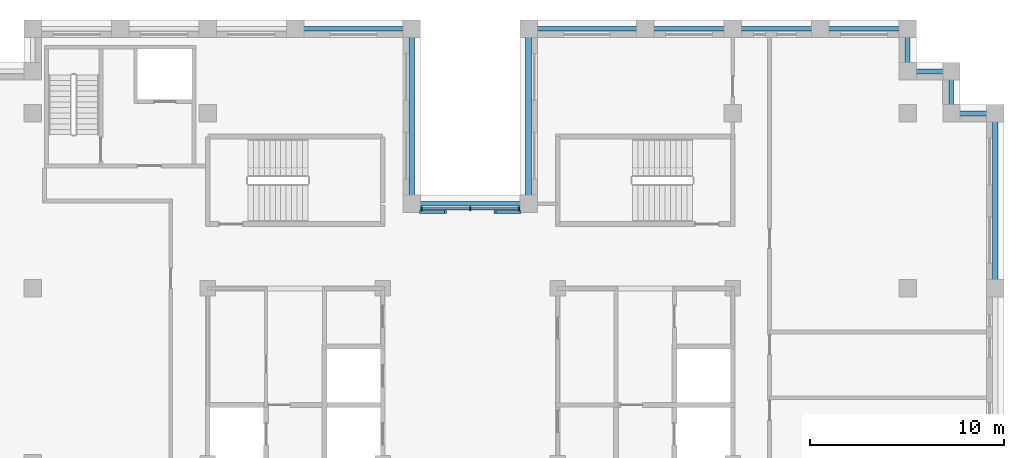
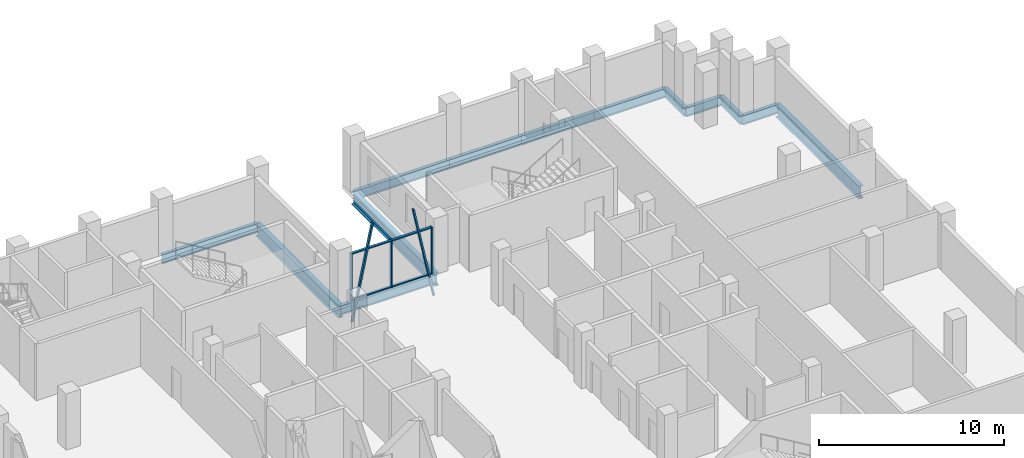
# One storey, part 4 of 13: 13 beams, 9 members, 1 element without a shape of its own.
"""IFC4 building model written with IfcOpenShell, lengths in metres."""

from ifc_helpers import new_model, si_unit, direction, frame, origin, origin_2d, place, context, subcontext, project, spatial, rectangle, i_section, extrude, material, layer, layer_set, material_profile, profile_set, type_object, element, aggregate, save


model = new_model("IFC4")

# Units and contexts
model_context = context("Model", 3, precision=1e-05, world=origin(), true_north=direction((0.0, 1.0)))
body_context = subcontext(model_context, "Body", "Model", "MODEL_VIEW")
ifc_project = project(units=[si_unit("LENGTHUNIT", "METRE"), si_unit("AREAUNIT", "SQUARE_METRE"), si_unit("VOLUMEUNIT", "CUBIC_METRE"), si_unit("PLANEANGLEUNIT", "RADIAN"), si_unit("MASSUNIT", "GRAM", prefix="KILO")], contexts=[model_context])

# Site, building, storey
site_placement = place(None, origin())
site = spatial("IfcSite", under=ifc_project, at=site_placement, CompositionType="ELEMENT")
building_placement = place(site_placement, origin())
building = spatial("IfcBuilding", under=site, at=building_placement, Name="Corbelhall Arena Tower", CompositionType="ELEMENT")
storey_placement = place(building_placement, frame((0.0, 0.0, 286.0)))
storey = spatial("IfcBuildingStorey", under=building, at=storey_placement, Name="L62", CompositionType="ELEMENT", Elevation=286.0)

# Curtain wall, members
ifc_material_1 = material(Name="Aluminium black anodised", Category="aluminium")
ifc_layer = layer(ifc_material_1, 0.199951171875)
ifc_layer_set = layer_set([ifc_layer], Name="EV-CW1 Slot back wall")
curtain_wall_type = type_object("IfcCurtainWallType", Name="EV-CW1 Slot back wall", PredefinedType="NOTDEFINED", material=ifc_layer_set)
curtain_wall_placement = place(storey_placement, origin())
curtain_wall = element("IfcCurtainWall", 1, at=curtain_wall_placement, inside=storey, type_object=curtain_wall_type, Name="Curtain wall CW1", PredefinedType="NOTDEFINED")
ifc_material_profile_1 = material_profile(ifc_material_1, rectangle(XDim=0.199951171875, YDim=0.074951171875, at=origin_2d()))
ifc_profile_set_1 = profile_set([ifc_material_profile_1], Name="Aluminium black anodised")
member_type_1 = type_object("IfcMemberType", Name="EV-CW1-MULLION", PredefinedType="MULLION", material=ifc_profile_set_1)
member_1_placement = place(storey_placement, frame((2.512451171875, 13.10009765625, 0.0), z_axis=(0.0, 0.0, 1.0), x_axis=(0.0, -1.0, 0.0)))
member_1 = element("IfcMember", 2, at=member_1_placement, type_object=member_type_1, Name="CW1 mullion 1", PredefinedType="MULLION", context=body_context, shape_type="SweptSolid", body=[
    extrude(rectangle(XDim=0.199951171875, YDim=0.074951171875, at=origin_2d()), origin(), (0.0, 0.0, 1.0), 3.1201171875),
])
member_2_placement = place(storey_placement, frame((0.0, 13.10009765625, 0.0), z_axis=(0.0, 0.0, 1.0), x_axis=(0.0, -1.0, 0.0)))
member_2 = element("IfcMember", 3, at=member_2_placement, type_object=member_type_1, Name="CW1 mullion 2", PredefinedType="MULLION", context=body_context, shape_type="SweptSolid", body=[
    extrude(rectangle(XDim=0.199951171875, YDim=0.074951171875, at=origin_2d()), origin(), (0.0, 0.0, 1.0), 3.1201171875),
])
member_3_placement = place(storey_placement, frame((-2.512451171875, 13.10009765625, 0.0), z_axis=(0.0, 0.0, 1.0), x_axis=(0.0, -1.0, 0.0)))
member_3 = element("IfcMember", 4, at=member_3_placement, type_object=member_type_1, Name="CW1 mullion 3", PredefinedType="MULLION", context=body_context, shape_type="SweptSolid", body=[
    extrude(rectangle(XDim=0.199951171875, YDim=0.074951171875, at=origin_2d()), origin(), (0.0, 0.0, 1.0), 3.1201171875),
])
ifc_material_profile_2 = material_profile(ifc_material_1, rectangle(XDim=0.14990234375, YDim=0.074951171875, at=origin_2d()))
ifc_profile_set_2 = profile_set([ifc_material_profile_2], Name="Aluminium black anodised")
member_type_2 = type_object("IfcMemberType", Name="EV-CW1-TRANSOM", PredefinedType="USERDEFINED", material=ifc_profile_set_2)
member_4_placement = place(storey_placement, frame((2.47509765625, 13.10009765625, 0.03759765625), z_axis=(-1.0, 0.0, 0.0), x_axis=(0.0, -1.0, 0.0)))
member_4 = element("IfcMember", 5, at=member_4_placement, type_object=member_type_2, Name="CW1 transom 1.1", ObjectType="transom", PredefinedType="USERDEFINED", context=body_context, shape_type="SweptSolid", body=[
    extrude(rectangle(XDim=0.14990234375, YDim=0.074951171875, at=origin_2d()), origin(), (0.0, 0.0, 1.0), 2.4375),
])
member_5_placement = place(storey_placement, frame((2.47509765625, 13.10009765625, 3.08251953125), z_axis=(-1.0, 0.0, 0.0), x_axis=(0.0, -1.0, 0.0)))
member_5 = element("IfcMember", 6, at=member_5_placement, type_object=member_type_2, Name="CW1 transom 1.2", ObjectType="transom", PredefinedType="USERDEFINED", context=body_context, shape_type="SweptSolid", body=[
    extrude(rectangle(XDim=0.14990234375, YDim=0.074951171875, at=origin_2d()), origin(), (0.0, 0.0, 1.0), 2.4375),
])
member_6_placement = place(storey_placement, frame((-0.03759765625, 13.10009765625, 0.03759765625), z_axis=(-1.0, 0.0, 0.0), x_axis=(0.0, -1.0, 0.0)))
member_6 = element("IfcMember", 7, at=member_6_placement, type_object=member_type_2, Name="CW1 transom 2.1", ObjectType="transom", PredefinedType="USERDEFINED", context=body_context, shape_type="SweptSolid", body=[
    extrude(rectangle(XDim=0.14990234375, YDim=0.074951171875, at=origin_2d()), origin(), (0.0, 0.0, 1.0), 2.4375),
])
member_7_placement = place(storey_placement, frame((-0.03759765625, 13.10009765625, 3.08251953125), z_axis=(-1.0, 0.0, 0.0), x_axis=(0.0, -1.0, 0.0)))
member_7 = element("IfcMember", 8, at=member_7_placement, type_object=member_type_2, Name="CW1 transom 2.2", ObjectType="transom", PredefinedType="USERDEFINED", context=body_context, shape_type="SweptSolid", body=[
    extrude(rectangle(XDim=0.14990234375, YDim=0.074951171875, at=origin_2d()), origin(), (0.0, 0.0, 1.0), 2.4375),
])
aggregate(curtain_wall, [member_1, member_2, member_3, member_4, member_5, member_6, member_7])

# Members
ifc_material_profile_3 = material_profile(ifc_material_1, rectangle(XDim=0.159912109375, YDim=0.10009765625, at=origin_2d()))
ifc_profile_set_3 = profile_set([ifc_material_profile_3], Name="Aluminium black anodised")
member_type_3 = type_object("IfcMemberType", Name="EV-TR1 Tracery bar", PredefinedType="USERDEFINED", material=ifc_profile_set_3)
for number, where, z_axis, x_axis, name in (
    (9, (2.550048828125, 12.919921875, -1.307373046875), (-0.204144671158, 0.0, 0.978940730197), (0.0, -1.0, 0.0), "Tracery bar"),
    (10, (-1.27490234375, 12.919921875, 4.807373046875), (-0.204144671158, 0.0, -0.978940730197), (0.0, -1.0, 0.0), "Tracery bar"),
):
    element("IfcMember", number, at=place(storey_placement, frame(where, z_axis=z_axis, x_axis=x_axis)), inside=storey, type_object=member_type_3, Name=name, ObjectType="TRACERY", PredefinedType="USERDEFINED", context=body_context, shape_type="SweptSolid", body=[
        extrude(rectangle(XDim=0.159912109375, YDim=0.10009765625, at=origin_2d()), origin(), (0.0, 0.0, 1.0), 6.246337890625),
    ])

# Beams
ifc_material_2 = material(Name="Steel ASTM A992 Gr50", Category="steel")
ifc_material_profile_4 = material_profile(ifc_material_2, i_section(OverallWidth=0.227783203125, OverallDepth=0.60205078125, WebThickness=0.010498046875, FlangeThickness=0.014892578125, at=origin_2d()))
ifc_profile_set_4 = profile_set([ifc_material_profile_4], Name="Steel ASTM A992 Gr50")
beam_type_1 = type_object("IfcBeamType", Name="ST-SPANDREL-W24x68", PredefinedType="SPANDREL", material=ifc_profile_set_4)
beam_1_placement = place(storey_placement, frame((3.0, 22.35009765625, -0.5810546875), z_axis=(1.0, 0.0, 0.0), x_axis=(0.0, 1.0, 0.0)))
element("IfcBeam", 11, at=beam_1_placement, inside=storey, type_object=beam_type_1, Name="Beam SP 6", PredefinedType="SPANDREL", context=body_context, shape_type="SweptSolid", body=[
    extrude(i_section(OverallWidth=0.227783203125, OverallDepth=0.60205078125, WebThickness=0.010498046875, FlangeThickness=0.014892578125, at=origin_2d()), origin(), (0.0, 0.0, 1.0), 6.0),
])
for number, where, z_axis, x_axis, name in (
    (12, (9.0, 22.35009765625, -0.5810546875), (1.0, 0.0, 0.0), (0.0, 1.0, 0.0), "Beam SP 7"),
    (13, (13.5, 22.35009765625, -0.5810546875), (1.0, 0.0, 0.0), (0.0, 1.0, 0.0), "Beam SP 8"),
    (14, (18.0, 22.35009765625, -0.5810546875), (1.0, 0.0, 0.0), (0.0, 1.0, 0.0), "Beam SP 9"),
):
    element("IfcBeam", number, at=place(storey_placement, frame(where, z_axis=z_axis, x_axis=x_axis)), inside=storey, type_object=beam_type_1, Name=name, PredefinedType="SPANDREL", context=body_context, shape_type="SweptSolid", body=[
        extrude(i_section(OverallWidth=0.227783203125, OverallDepth=0.60205078125, WebThickness=0.010498046875, FlangeThickness=0.014892578125, at=origin_2d()), origin(), (0.0, 0.0, 1.0), 4.5),
    ])
beam_2_placement = place(storey_placement, frame((22.5, 22.35009765625, -0.5810546875), z_axis=(0.0, -1.0, 0.0), x_axis=(1.0, 0.0, 0.0)))
element("IfcBeam", 15, at=beam_2_placement, inside=storey, type_object=beam_type_1, Name="Beam SP 10", PredefinedType="SPANDREL", context=body_context, shape_type="SweptSolid", body=[
    extrude(i_section(OverallWidth=0.227783203125, OverallDepth=0.60205078125, WebThickness=0.010498046875, FlangeThickness=0.014892578125, at=origin_2d()), origin(), (0.0, 0.0, 1.0), 2.175048828125),
])
for number, where, z_axis, x_axis, name in (
    (16, (-9.0, 22.35009765625, -0.5810546875), (1.0, 0.0, 0.0), (0.0, 1.0, 0.0), "Beam SP 12"),
    (17, (-3.0, 13.35009765625, -0.5810546875), (1.0, 0.0, 0.0), (0.0, 1.0, 0.0), "Beam SP 32"),
):
    element("IfcBeam", number, at=place(storey_placement, frame(where, z_axis=z_axis, x_axis=x_axis)), inside=storey, type_object=beam_type_1, Name=name, PredefinedType="SPANDREL", context=body_context, shape_type="SweptSolid", body=[
        extrude(i_section(OverallWidth=0.227783203125, OverallDepth=0.60205078125, WebThickness=0.010498046875, FlangeThickness=0.014892578125, at=origin_2d()), origin(), (0.0, 0.0, 1.0), 6.0),
    ])
beam_3_placement = place(storey_placement, frame((22.5, 20.175048828125, -0.5810546875), z_axis=(1.0, 0.0, 0.0), x_axis=(0.0, 1.0, 0.0)))
element("IfcBeam", 18, at=beam_3_placement, inside=storey, type_object=beam_type_1, Name="Beam SP 35", PredefinedType="SPANDREL", context=body_context, shape_type="SweptSolid", body=[
    extrude(i_section(OverallWidth=0.227783203125, OverallDepth=0.60205078125, WebThickness=0.010498046875, FlangeThickness=0.014892578125, at=origin_2d()), origin(), (0.0, 0.0, 1.0), 2.25),
])
beam_4_placement = place(storey_placement, frame((24.75, 20.175048828125, -0.5810546875), z_axis=(0.0, -1.0, 0.0), x_axis=(1.0, 0.0, 0.0)))
element("IfcBeam", 19, at=beam_4_placement, inside=storey, type_object=beam_type_1, Name="Beam SP 36", PredefinedType="SPANDREL", context=body_context, shape_type="SweptSolid", body=[
    extrude(i_section(OverallWidth=0.227783203125, OverallDepth=0.60205078125, WebThickness=0.010498046875, FlangeThickness=0.014892578125, at=origin_2d()), origin(), (0.0, 0.0, 1.0), 2.175048828125),
])
beam_5_placement = place(storey_placement, frame((24.75, 18.0, -0.5810546875), z_axis=(1.0, 0.0, 0.0), x_axis=(0.0, 1.0, 0.0)))
element("IfcBeam", 20, at=beam_5_placement, inside=storey, type_object=beam_type_1, Name="Beam SP 37", PredefinedType="SPANDREL", context=body_context, shape_type="SweptSolid", body=[
    extrude(i_section(OverallWidth=0.227783203125, OverallDepth=0.60205078125, WebThickness=0.010498046875, FlangeThickness=0.014892578125, at=origin_2d()), origin(), (0.0, 0.0, 1.0), 2.25),
])
ifc_material_profile_5 = material_profile(ifc_material_2, i_section(OverallWidth=0.2919921875, OverallDepth=0.845703125, WebThickness=0.015380859375, FlangeThickness=0.0244140625, at=origin_2d()))
ifc_profile_set_5 = profile_set([ifc_material_profile_5], Name="Steel ASTM A992 Gr50")
beam_type_2 = type_object("IfcBeamType", Name="ST-SPANDREL-W33x141", PredefinedType="SPANDREL", material=ifc_profile_set_5)
for number, where, z_axis, x_axis, name in (
    (21, (27.0, 18.0, -0.702880859375), (0.0, -1.0, 0.0), (1.0, 0.0, 0.0), "Beam SP 3"),
    (22, (-3.0, 22.35009765625, -0.702880859375), (0.0, -1.0, 0.0), (1.0, 0.0, 0.0), "Beam SP 11"),
    (23, (3.0, 13.35009765625, -0.702880859375), (0.0, 1.0, 0.0), (-1.0, 0.0, 0.0), "Beam SP 31"),
):
    element("IfcBeam", number, at=place(storey_placement, frame(where, z_axis=z_axis, x_axis=x_axis)), inside=storey, type_object=beam_type_2, Name=name, PredefinedType="SPANDREL", context=body_context, shape_type="SweptSolid", body=[
        extrude(i_section(OverallWidth=0.2919921875, OverallDepth=0.845703125, WebThickness=0.015380859375, FlangeThickness=0.0244140625, at=origin_2d()), origin(), (0.0, 0.0, 1.0), 9.0),
    ])

save(model, "model.ifc")
